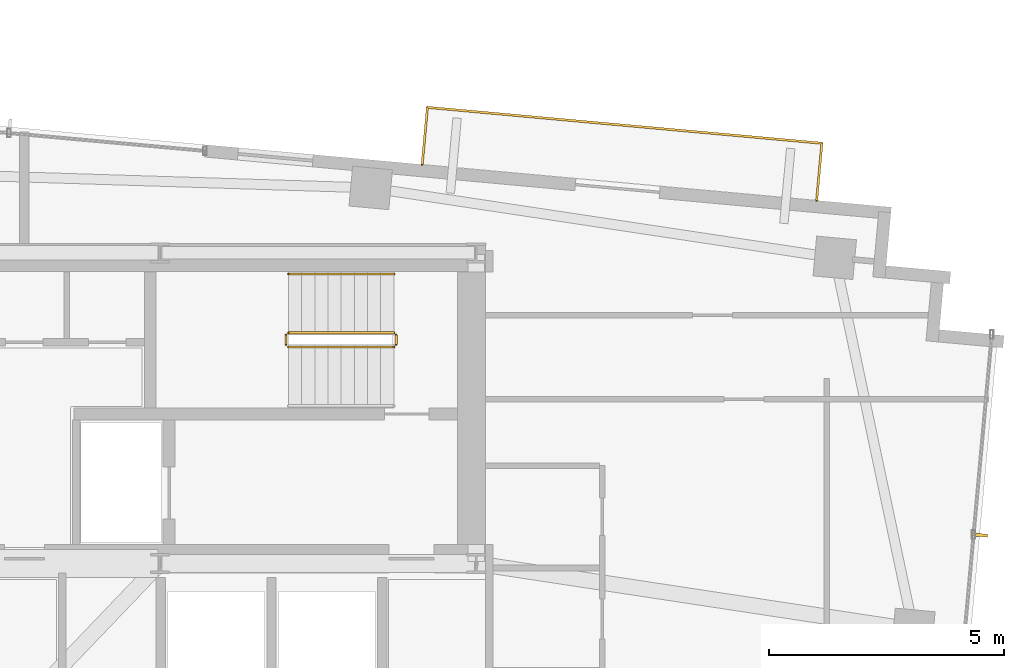
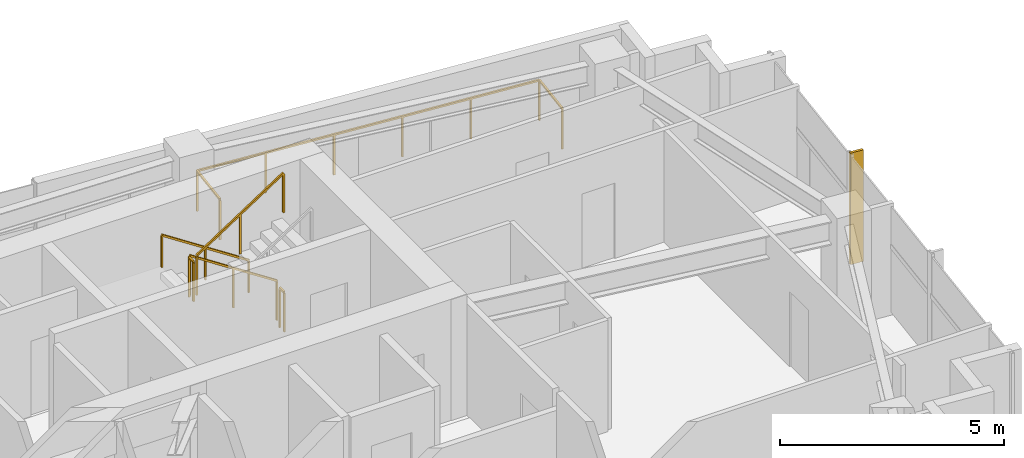
# One storey, part 22 of 22: 6 railings, 1 shading device.
"""IFC4 building model written with IfcOpenShell, lengths in metres."""

from ifc_helpers import new_model, si_unit, direction, frame, origin, origin_2d, place, context, subcontext, project, spatial, rectangle, extrude, source, transform, mapped, material, type_object, type_shapes, element, save


model = new_model("IFC4")

# Units and contexts
model_context = context("Model", 3, precision=1e-05, world=origin(), true_north=direction((0.0, 1.0)))
body_context = subcontext(model_context, "Body", "Model", "MODEL_VIEW")
ifc_project = project(units=[si_unit("LENGTHUNIT", "METRE"), si_unit("AREAUNIT", "SQUARE_METRE"), si_unit("VOLUMEUNIT", "CUBIC_METRE"), si_unit("PLANEANGLEUNIT", "RADIAN"), si_unit("MASSUNIT", "GRAM", prefix="KILO")], contexts=[model_context])

# Site, building, storey
site_placement = place(None, origin())
site = spatial("IfcSite", under=ifc_project, at=site_placement, CompositionType="ELEMENT")
building_placement = place(site_placement, origin())
building = spatial("IfcBuilding", under=site, at=building_placement, Name="Astriad Promenade Condominiums", CompositionType="ELEMENT")
storey_placement = place(building_placement, frame((0.0, 0.0, 219.89990234375)))
storey = spatial("IfcBuildingStorey", under=building, at=storey_placement, Name="L63", CompositionType="ELEMENT", Elevation=219.89990234375)

# Shading device
ifc_material_1 = material(Name="Anodised aluminium 6063-T6 Black Fin", Category="aluminium")
shading_device_type = type_object("IfcShadingDeviceType", Name="FIN-BLACK-260", PredefinedType="USERDEFINED", material=ifc_material_1)
shared_shape_1 = source(origin(), body_context, "Body", "SweptSolid", [
    extrude(rectangle(XDim=0.06494140625, YDim=0.320068359375, at=origin_2d()), origin(), (0.0, 0.0, 1.0), 3.0400390625),
])
type_shapes(shading_device_type, [shared_shape_1])
shading_device_placement = place(storey_placement, frame((56.306884765625, 18.0029296875, 0.0), z_axis=(0.0, 0.0, 1.0), x_axis=(-0.090632580198, -0.995884398616, 0.0)))
element("IfcShadingDevice", 1, at=shading_device_placement, inside=storey, type_object=shading_device_type, Name="CW-L63-E-FIN-01", ObjectType="FIN", PredefinedType="USERDEFINED", context=body_context, shape_type="MappedRepresentation", body=[
    mapped(shared_shape_1, transform((0.0, 0.0, 0.0), scale=1.0)),
])

# Railings
ifc_material_2 = material(Name="Laminated Glass and Stainless Steel Balustrade", Category="steel")
railing_type_1 = type_object("IfcRailingType", Name="GRD-BALC-1120", PredefinedType="BALUSTRADE", material=ifc_material_2)
shared_shape_2 = source(origin(), body_context, "Body", "SweptSolid", [
    extrude(rectangle(XDim=0.048095703125, YDim=0.048095703125, at=origin_2d()), frame((0.0, 0.0, 1.09619140625), z_axis=(0.090445536319, 0.995901403232, 0.0), x_axis=(-0.995901403232, 0.090445536319, 0.0)), (0.0, 0.0, 1.0), 1.219970703125),
    extrude(rectangle(XDim=0.048095703125, YDim=0.048095703125, at=origin_2d()), frame((0.1103515625, 1.215087890625, 1.09619140625), z_axis=(-0.995885832621, 0.090616821749, 0.0), x_axis=(-0.090616821749, -0.995885832621, 0.0)), (0.0, 0.0, 1.0), 8.416748046875),
    extrude(rectangle(XDim=0.048095703125, YDim=0.048095703125, at=origin_2d()), frame((-8.271728515625, 1.977783203125, 1.09619140625), z_axis=(-0.09066206129, -0.995881715186, 0.0), x_axis=(0.995881715186, -0.09066206129, 0.0)), (0.0, 0.0, 1.0), 1.219970703125),
    extrude(rectangle(XDim=0.0419921875, YDim=0.0419921875, at=origin_2d()), origin(), (0.0, 0.0, 1.0), 1.072021484375),
    extrude(rectangle(XDim=0.0419921875, YDim=0.0419921875, at=origin_2d()), frame((0.1103515625, 1.215087890625, 0.0)), (0.0, 0.0, 1.0), 1.072021484375),
    extrude(rectangle(XDim=0.0419921875, YDim=0.0419921875, at=origin_2d()), frame((-1.566162109375, 1.36767578125, 0.0)), (0.0, 0.0, 1.0), 1.072021484375),
    extrude(rectangle(XDim=0.0419921875, YDim=0.0419921875, at=origin_2d()), frame((-3.242431640625, 1.520263671875, 0.0)), (0.0, 0.0, 1.0), 1.072021484375),
    extrude(rectangle(XDim=0.0419921875, YDim=0.0419921875, at=origin_2d()), frame((-4.9189453125, 1.672607421875, 0.0)), (0.0, 0.0, 1.0), 1.072021484375),
    extrude(rectangle(XDim=0.0419921875, YDim=0.0419921875, at=origin_2d()), frame((-6.59521484375, 1.8251953125, 0.0)), (0.0, 0.0, 1.0), 1.072021484375),
    extrude(rectangle(XDim=0.0419921875, YDim=0.0419921875, at=origin_2d()), frame((-8.271728515625, 1.977783203125, 0.0)), (0.0, 0.0, 1.0), 1.072021484375),
    extrude(rectangle(XDim=0.0419921875, YDim=0.0419921875, at=origin_2d()), frame((-8.38232421875, 0.762939453125, 0.0)), (0.0, 0.0, 1.0), 1.072021484375),
])
type_shapes(railing_type_1, [shared_shape_2])
railing_1_placement = place(storey_placement, frame((52.834228515625, 25.113525390625, 0.0)))
element("IfcRailing", 2, at=railing_1_placement, inside=storey, type_object=railing_type_1, Name="GRD-BALC-L63-NE", PredefinedType="BALUSTRADE", context=body_context, shape_type="MappedRepresentation", body=[
    mapped(shared_shape_2, transform((0.0, 0.0, 0.0), scale=1.0)),
])
ifc_material_3 = material(Name="Painted Galvanised Steel Guardrail", Category="steel")
railing_type_2 = type_object("IfcRailingType", Name="GRD-STAIR-1100", PredefinedType="GUARDRAIL", material=ifc_material_3)
shared_shape_3 = source(origin(), body_context, "Body", "SweptSolid", [
    extrude(rectangle(XDim=0.048095703125, YDim=0.048095703125, at=origin_2d()), frame((0.0, 0.0, 1.076171875), z_axis=(0.836636935527, 0.0, 0.547757827979), x_axis=(0.0, 1.0, 0.0)), (0.0, 0.0, 1.0), 2.677490234375),
    extrude(rectangle(XDim=0.0419921875, YDim=0.0419921875, at=origin_2d()), origin(), (0.0, 0.0, 1.0), 1.052001953125),
    extrude(rectangle(XDim=0.0419921875, YDim=0.0419921875, at=origin_2d()), frame((1.1201171875, 0.0, 0.7333984375)), (0.0, 0.0, 1.0), 1.052001953125),
    extrude(rectangle(XDim=0.0419921875, YDim=0.0419921875, at=origin_2d()), frame((2.239990234375, 0.0, 1.466552734375)), (0.0, 0.0, 1.0), 1.052001953125),
])
railing_2_placement = place(storey_placement, frame((41.610107421875, 22.0, 1.83349609375)))
element("IfcRailing", 3, at=railing_2_placement, inside=storey, type_object=railing_type_2, Name="L63 ST-2 stair guard 3", PredefinedType="GUARDRAIL", context=body_context, shape_type="MappedRepresentation", body=[
    mapped(shared_shape_3, transform((0.0, 0.0, 0.0), scale=1.0)),
])
shared_shape_4 = source(origin(), body_context, "Body", "SweptSolid", [
    extrude(rectangle(XDim=0.048095703125, YDim=0.048095703125, at=origin_2d()), frame((0.0, 0.0, 1.076171875), z_axis=(-0.836595146698, 0.0, 0.547821650285), x_axis=(0.0, -1.0, 0.0)), (0.0, 0.0, 1.0), 2.677490234375),
    extrude(rectangle(XDim=0.0419921875, YDim=0.0419921875, at=origin_2d()), origin(), (0.0, 0.0, 1.0), 1.052001953125),
    extrude(rectangle(XDim=0.0419921875, YDim=0.0419921875, at=origin_2d()), frame((-1.1201171875, 0.0, 0.7333984375)), (0.0, 0.0, 1.0), 1.052001953125),
    extrude(rectangle(XDim=0.0419921875, YDim=0.0419921875, at=origin_2d()), frame((-2.239990234375, 0.0, 1.466796875)), (0.0, 0.0, 1.0), 1.052001953125),
])
railing_3_placement = place(storey_placement, frame((43.85009765625, 22.300048828125, 0.183349609375)))
element("IfcRailing", 4, at=railing_3_placement, inside=storey, type_object=railing_type_2, Name="L63 ST-2 stair guard 1", PredefinedType="GUARDRAIL", context=body_context, shape_type="MappedRepresentation", body=[
    mapped(shared_shape_4, transform((0.0, 0.0, 0.0), scale=1.0)),
])
ifc_material_4 = material(Name="Brushed Stainless Steel Handrail", Category="steel")
railing_type_3 = type_object("IfcRailingType", Name="HRL-STAIR-920", PredefinedType="HANDRAIL", material=ifc_material_4)
shared_shape_5 = source(origin(), body_context, "Body", "SweptSolid", [
    extrude(rectangle(XDim=0.048095703125, YDim=0.048095703125, at=origin_2d()), frame((0.0, 0.0, 0.8759765625), z_axis=(-0.836595146698, 0.0, 0.547821650285), x_axis=(0.0, -1.0, 0.0)), (0.0, 0.0, 1.0), 2.677490234375),
    extrude(rectangle(XDim=0.0419921875, YDim=0.0419921875, at=origin_2d()), origin(), (0.0, 0.0, 1.0), 0.851806640625),
    extrude(rectangle(XDim=0.0419921875, YDim=0.0419921875, at=origin_2d()), frame((-1.1201171875, 0.0, 0.7333984375)), (0.0, 0.0, 1.0), 0.851806640625),
    extrude(rectangle(XDim=0.0419921875, YDim=0.0419921875, at=origin_2d()), frame((-2.239990234375, 0.0, 1.466796875)), (0.0, 0.0, 1.0), 0.851806640625),
])
type_shapes(railing_type_3, [shared_shape_5])
railing_4_placement = place(storey_placement, frame((43.85009765625, 23.550048828125, 0.183349609375)))
element("IfcRailing", 5, at=railing_4_placement, inside=storey, type_object=railing_type_3, Name="L63 ST-2 stair handrail 1", PredefinedType="HANDRAIL", context=body_context, shape_type="MappedRepresentation", body=[
    mapped(shared_shape_5, transform((0.0, 0.0, 0.0), scale=1.0)),
])
shared_shape_6 = source(origin(), body_context, "Body", "SweptSolid", [
    extrude(rectangle(XDim=0.048095703125, YDim=0.048095703125, at=origin_2d()), frame((0.0, 0.0, 1.076171875), z_axis=(0.0, -1.0, 0.0), x_axis=(1.0, 0.0, 0.0)), (0.0, 0.0, 1.0), 0.199951171875),
    extrude(rectangle(XDim=0.0419921875, YDim=0.0419921875, at=origin_2d()), origin(), (0.0, 0.0, 1.0), 1.052001953125),
    extrude(rectangle(XDim=0.0419921875, YDim=0.0419921875, at=origin_2d()), frame((0.0, -0.199951171875, 0.0)), (0.0, 0.0, 1.0), 1.052001953125),
])
type_shapes(railing_type_2, [shared_shape_3, shared_shape_4, shared_shape_6])
for number, where, name in (
    (6, (41.56005859375, 22.25, 1.650146484375), "L63 ST-2 stair guard 2"),
    (7, (43.89990234375, 22.25, 0.0), "L63 ST-2 stair guard 4"),
):
    element("IfcRailing", number, at=place(storey_placement, frame(where)), inside=storey, type_object=railing_type_2, Name=name, PredefinedType="GUARDRAIL", context=body_context, shape_type="MappedRepresentation", body=[
        mapped(shared_shape_6, transform((0.0, 0.0, 0.0), scale=1.0)),
    ])

save(model, "model.ifc")
